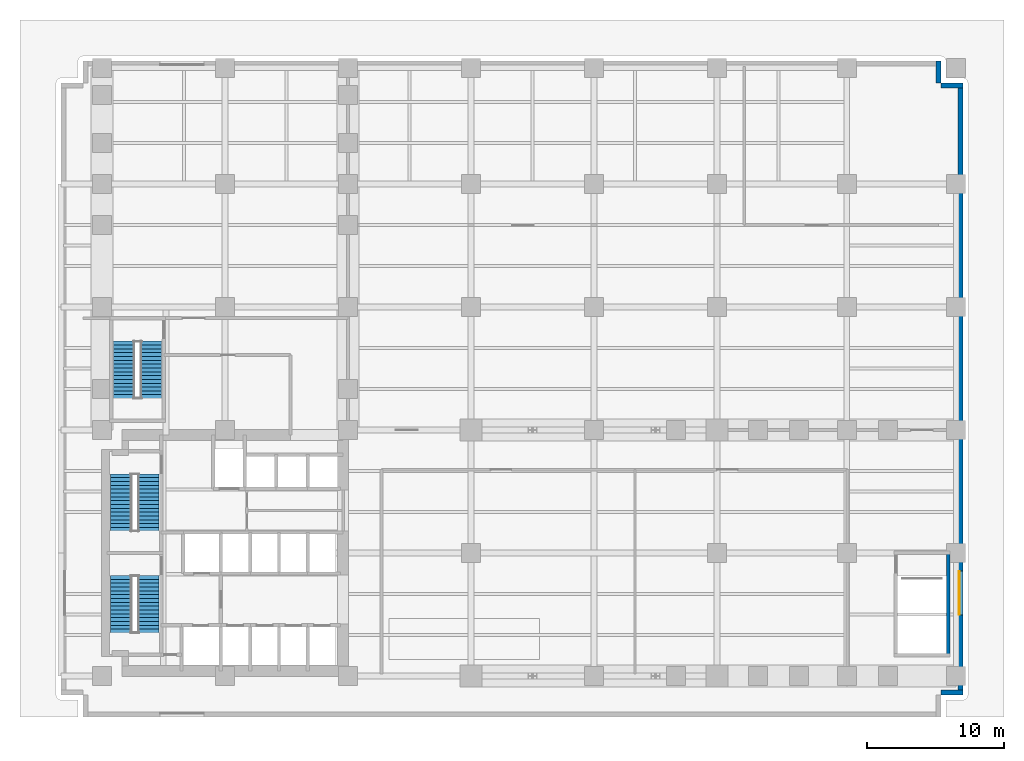
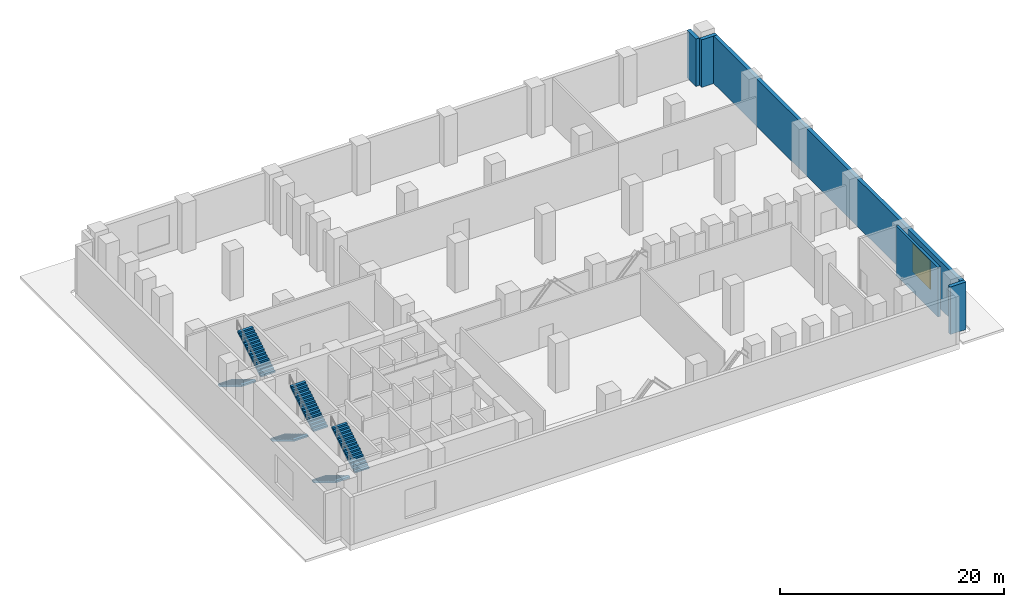
# One storey, part 7 of 8: 6 stair flights, 5 walls, 1 window, 1 opening, 3 elements without a shape of their own.
"""IFC4 building model written with IfcOpenShell, lengths in metres."""

from ifc_helpers import new_model, si_unit, direction, frame, frame_2d, origin, place, context, subcontext, project, spatial, polyline, rectangle, outline, extrude, material, layer, layer_set, type_object, element, fill, aggregate, save


model = new_model("IFC4")

# Units and contexts
model_context = context("Model", 3, precision=1e-05, world=origin(), true_north=direction((0.0, 1.0)))
body_context = subcontext(model_context, "Body", "Model", "MODEL_VIEW")
ifc_project = project(units=[si_unit("LENGTHUNIT", "METRE"), si_unit("AREAUNIT", "SQUARE_METRE"), si_unit("VOLUMEUNIT", "CUBIC_METRE"), si_unit("PLANEANGLEUNIT", "RADIAN"), si_unit("MASSUNIT", "GRAM", prefix="KILO")], contexts=[model_context])

# Site, building, storey
site_placement = place(None, origin())
site = spatial("IfcSite", under=ifc_project, at=site_placement, CompositionType="ELEMENT")
building_placement = place(site_placement, origin())
building = spatial("IfcBuilding", under=site, at=building_placement, Name="Mawjdan Bourse Tower", CompositionType="ELEMENT")
storey_placement = place(building_placement, frame((0.0, 0.0, 16.199951171875)))
storey = spatial("IfcBuildingStorey", under=building, at=storey_placement, Name="L03", CompositionType="ELEMENT", Elevation=16.199951171875)

# Wall
ifc_material_1 = material(Name="Brick Masonry Terracotta Red", Category="masonry")
ifc_layer_1 = layer(ifc_material_1, 0.3798828125)
ifc_layer_set_1 = layer_set([ifc_layer_1], Name="Brick Masonry Terracotta Red")
wall_type_1 = type_object("IfcWallType", Name="WL-BRK-RED-380", PredefinedType="STANDARD", material=ifc_layer_set_1)
wall_1_placement = place(storey_placement, frame((67.39990234375, 1.7900390625, 0.0), z_axis=(0.0, 0.0, 1.0), x_axis=(1.0, 0.0, 0.0)))
element("IfcWall", 1, at=wall_1_placement, inside=storey, type_object=wall_type_1, Name="L03 Colocation Brick Wall 3", PredefinedType="STANDARD", context=body_context, shape_type="SweptSolid", body=[
    extrude(rectangle(XDim=1.60009765625, YDim=0.3798828125, at=frame_2d((0.800048828125, 0.0))), origin(), (0.0, 0.0, 1.0), 5.179931640625),
])

# Wall, opening, window
wall_2_placement = place(storey_placement, frame((68.81005859375, 1.60009765625, 0.0), z_axis=(0.0, 0.0, 1.0), x_axis=(0.0, 1.0, 0.0)))
wall_2 = element("IfcWall", 2, at=wall_2_placement, inside=storey, type_object=wall_type_1, Name="L03 Colocation Brick Wall 4", PredefinedType="STANDARD", context=body_context, shape_type="SweptSolid", body=[
    extrude(rectangle(XDim=44.7998046875, YDim=0.3798828125, at=frame_2d((22.39990234375, 0.0))), origin(), (0.0, 0.0, 1.0), 5.179931640625),
])
opening_placement = place(wall_2_placement, frame((5.86669921875, 0.0, 0.89990234375)))
opening = element("IfcOpeningElement", 3, at=opening_placement, cuts=wall_2, Name="Opening W-L03-02", PredefinedType="OPENING", context=body_context, shape_type="SweptSolid", body=[
    extrude(rectangle(XDim=3.199951171875, YDim=3.10009765625, at=frame_2d((1.60009765625, 1.550048828125))), frame((0.0, 0.199951171875, 0.0), z_axis=(0.0, -1.0, 0.0), x_axis=(1.0, 0.0, 0.0)), (0.0, 0.0, 1.0), 0.39990234375),
])
ifc_material_2 = material(Name="Solar-Control Clear Double Glazing", Category="glass")
window_type = type_object("IfcWindowType", Name="WN-POD-3200", PartitioningType="SINGLE_PANEL", PredefinedType="WINDOW", material=ifc_material_2)
window_placement = place(opening_placement, origin())
window = element("IfcWindow", 4, at=window_placement, inside=storey, type_object=window_type, Name="L03 Deep-Set Masonry Window W-L03-02", OverallHeight=3.10009765625, OverallWidth=3.199951171875, PartitioningType="SINGLE_PANEL", PredefinedType="WINDOW", context=body_context, shape_type="SweptSolid", body=[
    extrude(rectangle(XDim=3.199951171875, YDim=3.10009765625, at=frame_2d((1.60009765625, 1.550048828125))), frame((0.0, 0.110107421875, 0.0), z_axis=(0.0, -1.0, 0.0), x_axis=(1.0, 0.0, 0.0)), (0.0, 0.0, 1.0), 0.06005859375),
])
fill(opening, window)

# Walls
for number, where, z_axis, x_axis, name in (
    (5, (69.0, 46.2099609375, 0.0), (0.0, 0.0, 1.0), (-1.0, 0.0, 0.0), "L03 Colocation Brick Wall 5"),
    (6, (67.2099609375, 46.39990234375, 0.0), (0.0, 0.0, 1.0), (0.0, 1.0, 0.0), "L03 Colocation Brick Wall 6"),
):
    element("IfcWall", number, at=place(storey_placement, frame(where, z_axis=z_axis, x_axis=x_axis)), inside=storey, type_object=wall_type_1, Name=name, PredefinedType="STANDARD", context=body_context, shape_type="SweptSolid", body=[
        extrude(rectangle(XDim=1.60009765625, YDim=0.3798828125, at=frame_2d((0.800048828125, 0.0))), origin(), (0.0, 0.0, 1.0), 5.179931640625),
    ])
ifc_material_3 = material(Name="Concrete C50/60", Category="concrete")
ifc_layer_2 = layer(ifc_material_3, 0.25)
ifc_layer_set_2 = layer_set([ifc_layer_2], Name="Concrete C50/60")
wall_type_2 = type_object("IfcWallType", Name="WL-STRW-250", PredefinedType="SHEAR", material=ifc_layer_set_2)
wall_3_placement = place(storey_placement, frame((67.919921875, 4.530029296875, 0.0), z_axis=(0.0, 0.0, 1.0), x_axis=(0.0, 1.0, 0.0)))
element("IfcWall", 7, at=wall_3_placement, inside=storey, type_object=wall_type_2, Name="L03 ST6 East Shaft Wall", PredefinedType="SHEAR", context=body_context, shape_type="SweptSolid", body=[
    extrude(rectangle(XDim=7.5, YDim=0.25, at=frame_2d((3.75, 0.0))), origin(), (0.0, 0.0, 1.0), 5.400146484375),
])

# Stair, stair flights
stair_type = type_object("IfcStairType", Name="STR-CORE-1500", PredefinedType="HALF_TURN_STAIR", material=ifc_material_3)
stair_1_placement = place(storey_placement, origin())
stair_1 = element("IfcStair", 8, at=stair_1_placement, inside=storey, type_object=stair_type, Name="L03 Exit Stair 1 (Core South-West)", PredefinedType="HALF_TURN_STAIR")
stair_flight_type = type_object("IfcStairFlightType", Name="SFL-RC-1500", PredefinedType="STRAIGHT", material=ifc_material_3)
stair_flight_1_placement = place(storey_placement, frame((7.389892578125, 10.35009765625, 0.0), z_axis=(0.0, 0.0, 1.0), x_axis=(0.0, -1.0, 0.0)))
stair_flight_1 = element("IfcStairFlight", 9, at=stair_flight_1_placement, type_object=stair_flight_type, Name="ST1-L03 flight 1", NumberOfRisers=16, NumberOfTreads=15, PredefinedType="STRAIGHT", RiserHeight=0.16875, TreadLength=0.28, context=body_context, shape_type="SweptSolid", body=[
    extrude(outline(polyline([(0.0, 0.0), (0.0, 0.168701171875), (0.280029296875, 0.168701171875), (0.280029296875, 0.33740234375), (0.56005859375, 0.33740234375), (0.56005859375, 0.50634765625), (0.840087890625, 0.50634765625), (0.840087890625, 0.675048828125), (1.1201171875, 0.675048828125), (1.1201171875, 0.84375), (1.39990234375, 0.84375), (1.39990234375, 1.012451171875), (1.679931640625, 1.012451171875), (1.679931640625, 1.18115234375), (1.9599609375, 1.18115234375), (1.9599609375, 1.35009765625), (2.239990234375, 1.35009765625), (2.239990234375, 1.518798828125), (2.52001953125, 1.518798828125), (2.52001953125, 1.6875), (2.800048828125, 1.6875), (2.800048828125, 1.856201171875), (3.080078125, 1.856201171875), (3.080078125, 2.02490234375), (3.360107421875, 2.02490234375), (3.360107421875, 2.19384765625), (3.639892578125, 2.19384765625), (3.639892578125, 2.362548828125), (3.919921875, 2.362548828125), (3.919921875, 2.53125), (4.199951171875, 2.53125), (4.199951171875, 2.699951171875), (4.199951171875, 2.344482421875), (0.309814453125, 0.0), (0.0, 0.0)])), frame((0.0, 0.75, 0.0), z_axis=(0.0, -1.0, 0.0), x_axis=(1.0, 0.0, 0.0)), (0.0, 0.0, 1.0), 1.5),
])
stair_flight_2_placement = place(storey_placement, frame((9.409912109375, 6.14990234375, 2.699951171875), z_axis=(0.0, 0.0, 1.0), x_axis=(0.0, 1.0, 0.0)))
stair_flight_2 = element("IfcStairFlight", 10, at=stair_flight_2_placement, type_object=stair_flight_type, Name="ST1-L03 flight 2", NumberOfRisers=16, NumberOfTreads=15, PredefinedType="STRAIGHT", RiserHeight=0.16875, TreadLength=0.28, context=body_context, shape_type="SweptSolid", body=[
    extrude(outline(polyline([(0.0, 0.0), (0.0, 0.168701171875), (0.280029296875, 0.168701171875), (0.280029296875, 0.33740234375), (0.56005859375, 0.33740234375), (0.56005859375, 0.50634765625), (0.840087890625, 0.50634765625), (0.840087890625, 0.675048828125), (1.1201171875, 0.675048828125), (1.1201171875, 0.84375), (1.39990234375, 0.84375), (1.39990234375, 1.012451171875), (1.679931640625, 1.012451171875), (1.679931640625, 1.18115234375), (1.9599609375, 1.18115234375), (1.9599609375, 1.35009765625), (2.239990234375, 1.35009765625), (2.239990234375, 1.518798828125), (2.52001953125, 1.518798828125), (2.52001953125, 1.6875), (2.800048828125, 1.6875), (2.800048828125, 1.856201171875), (3.080078125, 1.856201171875), (3.080078125, 2.02490234375), (3.360107421875, 2.02490234375), (3.360107421875, 2.19384765625), (3.639892578125, 2.19384765625), (3.639892578125, 2.362548828125), (3.919921875, 2.362548828125), (3.919921875, 2.53125), (4.199951171875, 2.53125), (4.199951171875, 2.699951171875), (4.199951171875, 2.344482421875), (0.309814453125, 0.0), (0.0, 0.0)])), frame((0.0, 0.75, 0.0), z_axis=(0.0, -1.0, 0.0), x_axis=(1.0, 0.0, 0.0)), (0.0, 0.0, 1.0), 1.5),
])
aggregate(stair_1, [stair_flight_1, stair_flight_2])

stair_2_placement = place(storey_placement, origin())
stair_2 = element("IfcStair", 11, at=stair_2_placement, inside=storey, type_object=stair_type, Name="L03 Exit Stair 2 (Core North-West)", PredefinedType="HALF_TURN_STAIR")
stair_flight_3_placement = place(storey_placement, frame((7.389892578125, 17.7900390625, 0.0), z_axis=(0.0, 0.0, 1.0), x_axis=(0.0, -1.0, 0.0)))
stair_flight_3 = element("IfcStairFlight", 12, at=stair_flight_3_placement, type_object=stair_flight_type, Name="ST2-L03 flight 1", NumberOfRisers=16, NumberOfTreads=15, PredefinedType="STRAIGHT", RiserHeight=0.16875, TreadLength=0.28, context=body_context, shape_type="SweptSolid", body=[
    extrude(outline(polyline([(0.0, 0.0), (0.0, 0.168701171875), (0.280029296875, 0.168701171875), (0.280029296875, 0.33740234375), (0.56005859375, 0.33740234375), (0.56005859375, 0.50634765625), (0.840087890625, 0.50634765625), (0.840087890625, 0.675048828125), (1.1201171875, 0.675048828125), (1.1201171875, 0.84375), (1.39990234375, 0.84375), (1.39990234375, 1.012451171875), (1.679931640625, 1.012451171875), (1.679931640625, 1.18115234375), (1.9599609375, 1.18115234375), (1.9599609375, 1.35009765625), (2.239990234375, 1.35009765625), (2.239990234375, 1.518798828125), (2.52001953125, 1.518798828125), (2.52001953125, 1.6875), (2.800048828125, 1.6875), (2.800048828125, 1.856201171875), (3.080078125, 1.856201171875), (3.080078125, 2.02490234375), (3.360107421875, 2.02490234375), (3.360107421875, 2.19384765625), (3.639892578125, 2.19384765625), (3.639892578125, 2.362548828125), (3.919921875, 2.362548828125), (3.919921875, 2.53125), (4.199951171875, 2.53125), (4.199951171875, 2.699951171875), (4.199951171875, 2.344482421875), (0.309814453125, 0.0), (0.0, 0.0)])), frame((0.0, 0.75, 0.0), z_axis=(0.0, -1.0, 0.0), x_axis=(1.0, 0.0, 0.0)), (0.0, 0.0, 1.0), 1.5),
])
stair_flight_4_placement = place(storey_placement, frame((9.409912109375, 13.590087890625, 2.699951171875), z_axis=(0.0, 0.0, 1.0), x_axis=(0.0, 1.0, 0.0)))
stair_flight_4 = element("IfcStairFlight", 13, at=stair_flight_4_placement, type_object=stair_flight_type, Name="ST2-L03 flight 2", NumberOfRisers=16, NumberOfTreads=15, PredefinedType="STRAIGHT", RiserHeight=0.16875, TreadLength=0.28, context=body_context, shape_type="SweptSolid", body=[
    extrude(outline(polyline([(0.0, 0.0), (0.0, 0.168701171875), (0.280029296875, 0.168701171875), (0.280029296875, 0.33740234375), (0.56005859375, 0.33740234375), (0.56005859375, 0.50634765625), (0.840087890625, 0.50634765625), (0.840087890625, 0.675048828125), (1.1201171875, 0.675048828125), (1.1201171875, 0.84375), (1.39990234375, 0.84375), (1.39990234375, 1.012451171875), (1.679931640625, 1.012451171875), (1.679931640625, 1.18115234375), (1.9599609375, 1.18115234375), (1.9599609375, 1.35009765625), (2.239990234375, 1.35009765625), (2.239990234375, 1.518798828125), (2.52001953125, 1.518798828125), (2.52001953125, 1.6875), (2.800048828125, 1.6875), (2.800048828125, 1.856201171875), (3.080078125, 1.856201171875), (3.080078125, 2.02490234375), (3.360107421875, 2.02490234375), (3.360107421875, 2.19384765625), (3.639892578125, 2.19384765625), (3.639892578125, 2.362548828125), (3.919921875, 2.362548828125), (3.919921875, 2.53125), (4.199951171875, 2.53125), (4.199951171875, 2.699951171875), (4.199951171875, 2.344482421875), (0.309814453125, 0.0), (0.0, 0.0)])), frame((0.0, 0.75, 0.0), z_axis=(0.0, -1.0, 0.0), x_axis=(1.0, 0.0, 0.0)), (0.0, 0.0, 1.0), 1.5),
])
aggregate(stair_2, [stair_flight_3, stair_flight_4])

stair_3_placement = place(storey_placement, origin())
stair_3 = element("IfcStair", 14, at=stair_3_placement, inside=storey, type_object=stair_type, Name="L03 Exit Stair 3 (North Wing)", PredefinedType="HALF_TURN_STAIR")
stair_flight_5_placement = place(storey_placement, frame((7.590087890625, 27.5, 0.0), z_axis=(0.0, 0.0, 1.0), x_axis=(0.0, -1.0, 0.0)))
stair_flight_5 = element("IfcStairFlight", 15, at=stair_flight_5_placement, type_object=stair_flight_type, Name="ST3-L03 flight 1", NumberOfRisers=16, NumberOfTreads=15, PredefinedType="STRAIGHT", RiserHeight=0.16875, TreadLength=0.28, context=body_context, shape_type="SweptSolid", body=[
    extrude(outline(polyline([(0.0, 0.0), (0.0, 0.168701171875), (0.280029296875, 0.168701171875), (0.280029296875, 0.33740234375), (0.56005859375, 0.33740234375), (0.56005859375, 0.50634765625), (0.840087890625, 0.50634765625), (0.840087890625, 0.675048828125), (1.1201171875, 0.675048828125), (1.1201171875, 0.84375), (1.39990234375, 0.84375), (1.39990234375, 1.012451171875), (1.679931640625, 1.012451171875), (1.679931640625, 1.18115234375), (1.9599609375, 1.18115234375), (1.9599609375, 1.35009765625), (2.239990234375, 1.35009765625), (2.239990234375, 1.518798828125), (2.52001953125, 1.518798828125), (2.52001953125, 1.6875), (2.800048828125, 1.6875), (2.800048828125, 1.856201171875), (3.080078125, 1.856201171875), (3.080078125, 2.02490234375), (3.360107421875, 2.02490234375), (3.360107421875, 2.19384765625), (3.639892578125, 2.19384765625), (3.639892578125, 2.362548828125), (3.919921875, 2.362548828125), (3.919921875, 2.53125), (4.199951171875, 2.53125), (4.199951171875, 2.699951171875), (4.199951171875, 2.344482421875), (0.309814453125, 0.0), (0.0, 0.0)])), frame((0.0, 0.75, 0.0), z_axis=(0.0, -1.0, 0.0), x_axis=(1.0, 0.0, 0.0)), (0.0, 0.0, 1.0), 1.5),
])
stair_flight_6_placement = place(storey_placement, frame((9.610107421875, 23.300048828125, 2.699951171875), z_axis=(0.0, 0.0, 1.0), x_axis=(0.0, 1.0, 0.0)))
stair_flight_6 = element("IfcStairFlight", 16, at=stair_flight_6_placement, type_object=stair_flight_type, Name="ST3-L03 flight 2", NumberOfRisers=16, NumberOfTreads=15, PredefinedType="STRAIGHT", RiserHeight=0.16875, TreadLength=0.28, context=body_context, shape_type="SweptSolid", body=[
    extrude(outline(polyline([(0.0, 0.0), (0.0, 0.168701171875), (0.280029296875, 0.168701171875), (0.280029296875, 0.33740234375), (0.56005859375, 0.33740234375), (0.56005859375, 0.50634765625), (0.840087890625, 0.50634765625), (0.840087890625, 0.675048828125), (1.1201171875, 0.675048828125), (1.1201171875, 0.84375), (1.39990234375, 0.84375), (1.39990234375, 1.012451171875), (1.679931640625, 1.012451171875), (1.679931640625, 1.18115234375), (1.9599609375, 1.18115234375), (1.9599609375, 1.35009765625), (2.239990234375, 1.35009765625), (2.239990234375, 1.518798828125), (2.52001953125, 1.518798828125), (2.52001953125, 1.6875), (2.800048828125, 1.6875), (2.800048828125, 1.856201171875), (3.080078125, 1.856201171875), (3.080078125, 2.02490234375), (3.360107421875, 2.02490234375), (3.360107421875, 2.19384765625), (3.639892578125, 2.19384765625), (3.639892578125, 2.362548828125), (3.919921875, 2.362548828125), (3.919921875, 2.53125), (4.199951171875, 2.53125), (4.199951171875, 2.699951171875), (4.199951171875, 2.344482421875), (0.309814453125, 0.0), (0.0, 0.0)])), frame((0.0, 0.75, 0.0), z_axis=(0.0, -1.0, 0.0), x_axis=(1.0, 0.0, 0.0)), (0.0, 0.0, 1.0), 1.5),
])
aggregate(stair_3, [stair_flight_5, stair_flight_6])

save(model, "model.ifc")
